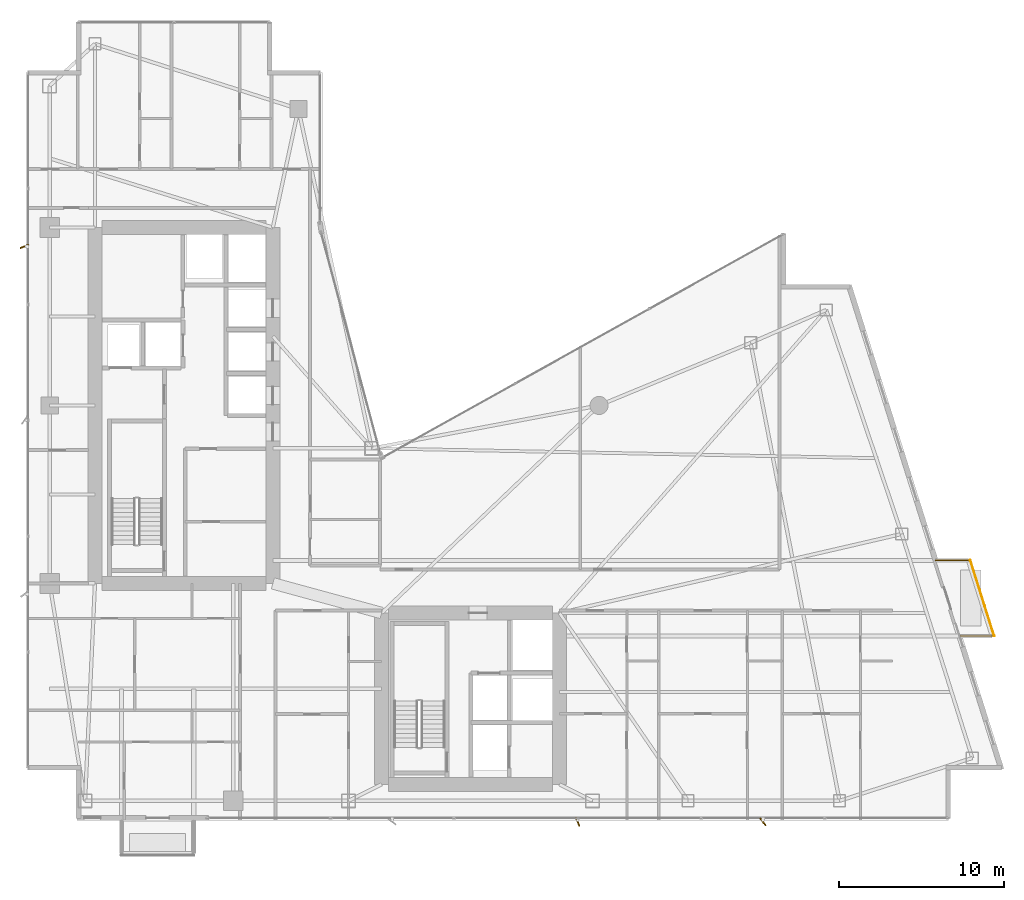
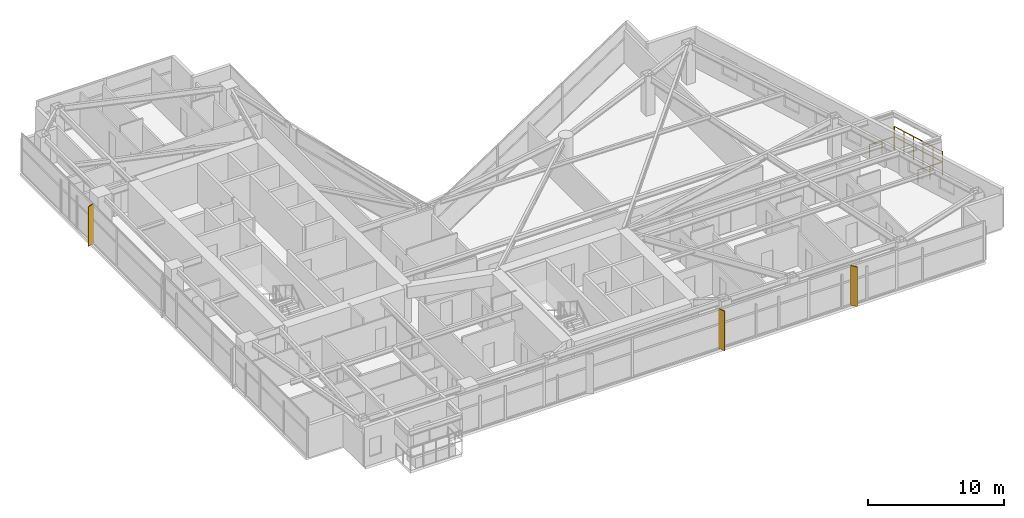
# One storey, part 28 of 28: 3 shading devices, 2 railings.
"""IFC4 building model written with IfcOpenShell, lengths in metres."""

from ifc_helpers import new_model, si_unit, direction, frame, origin, origin_2d, place, context, subcontext, project, spatial, rectangle, circle, extrude, material, type_object, element, save


model = new_model("IFC4")

# Units and contexts
model_context = context("Model", 3, precision=1e-05, world=origin(), true_north=direction((0.0, 1.0)))
body_context = subcontext(model_context, "Body", "Model", "MODEL_VIEW")
ifc_project = project(units=[si_unit("LENGTHUNIT", "METRE"), si_unit("AREAUNIT", "SQUARE_METRE"), si_unit("VOLUMEUNIT", "CUBIC_METRE"), si_unit("PLANEANGLEUNIT", "RADIAN"), si_unit("MASSUNIT", "GRAM", prefix="KILO")], contexts=[model_context])

# Site, building, storey
site_placement = place(None, origin())
site = spatial("IfcSite", under=ifc_project, at=site_placement, CompositionType="ELEMENT")
building_placement = place(site_placement, origin())
building = spatial("IfcBuilding", under=site, at=building_placement, Name="Calvorn Quay Hotel", CompositionType="ELEMENT")
storey_placement = place(building_placement, frame((0.0, 0.0, 152.300048828125)))
storey = spatial("IfcBuildingStorey", under=building, at=storey_placement, Name="L37", CompositionType="ELEMENT", Elevation=152.300048828125)

# Railings
ifc_material_1 = material(Name="Pale Anodised Aluminium and Laminated Glass", Category="aluminium")
railing_type = type_object("IfcRailingType", Name="RLG-BALUSTRADE-1200", PredefinedType="BALUSTRADE", material=ifc_material_1)
railing_1_placement = place(storey_placement, frame((56.68896484375, 13.60009765625, 0.0)))
element("IfcRailing", 1, at=railing_1_placement, inside=storey, type_object=railing_type, Name="Tree Balcony Perimeter Balustrade L37-BALC-E", PredefinedType="BALUSTRADE", context=body_context, shape_type="SweptSolid", body=[
    extrude(circle(Radius=0.02392578125, at=origin_2d()), frame((0.0, 0.0, 1.17578125), z_axis=(1.0, 0.0, 0.0), x_axis=(0.0, 1.0, 0.0)), (0.0, 0.0, 1.0), 2.10009765625),
    extrude(circle(Radius=0.02392578125, at=origin_2d()), frame((2.10009765625, 0.0, 1.17578125), z_axis=(-0.300450487966, 0.953797412599, 0.0), x_axis=(-0.953797412599, -0.300450487966, 0.0)), (0.0, 0.0, 1.0), 4.82275390625),
    extrude(circle(Radius=0.02392578125, at=origin_2d()), frame((0.651123046875, 4.599853515625, 1.17578125), z_axis=(-1.0, 0.0, 0.0), x_axis=(0.0, -1.0, 0.0)), (0.0, 0.0, 1.0), 2.10009765625),
    extrude(circle(Radius=0.02099609375, at=origin_2d()), origin(), (0.0, 0.0, 1.0), 1.15185546875),
    extrude(circle(Radius=0.02099609375, at=origin_2d()), frame((1.050048828125, 0.0, 0.0)), (0.0, 0.0, 1.0), 1.15185546875),
    extrude(circle(Radius=0.02099609375, at=origin_2d()), frame((2.10009765625, 0.0, 0.0)), (0.0, 0.0, 1.0), 1.15185546875),
    extrude(circle(Radius=0.02099609375, at=origin_2d()), frame((1.810302734375, 0.919921875, 0.0)), (0.0, 0.0, 1.0), 1.15185546875),
    extrude(circle(Radius=0.02099609375, at=origin_2d()), frame((1.5205078125, 1.83984375, 0.0)), (0.0, 0.0, 1.0), 1.15185546875),
    extrude(circle(Radius=0.02099609375, at=origin_2d()), frame((1.230712890625, 2.760009765625, 0.0)), (0.0, 0.0, 1.0), 1.15185546875),
    extrude(circle(Radius=0.02099609375, at=origin_2d()), frame((0.94091796875, 3.679931640625, 0.0)), (0.0, 0.0, 1.0), 1.15185546875),
    extrude(circle(Radius=0.02099609375, at=origin_2d()), frame((0.651123046875, 4.599853515625, 0.0)), (0.0, 0.0, 1.0), 1.15185546875),
    extrude(circle(Radius=0.02099609375, at=origin_2d()), frame((-0.39892578125, 4.599853515625, 0.0)), (0.0, 0.0, 1.0), 1.15185546875),
    extrude(circle(Radius=0.02099609375, at=origin_2d()), frame((-1.448974609375, 4.599853515625, 0.0)), (0.0, 0.0, 1.0), 1.15185546875),
])
railing_2_placement = place(storey_placement, frame((58.7890625, 13.60009765625, 0.89990234375)))
element("IfcRailing", 2, at=railing_2_placement, inside=storey, type_object=railing_type, Name="Planter Kerb High Safety Screen L37-BALC-E", PredefinedType="BALUSTRADE", context=body_context, shape_type="SweptSolid", body=[
    extrude(circle(Radius=0.02392578125, at=origin_2d()), frame((0.0, 0.0, 1.19580078125), z_axis=(-0.300450487966, 0.953797412599, 0.0), x_axis=(-0.953797412599, -0.300450487966, 0.0)), (0.0, 0.0, 1.0), 4.82275390625),
    extrude(circle(Radius=0.02099609375, at=origin_2d()), origin(), (0.0, 0.0, 1.0), 1.171875),
    extrude(circle(Radius=0.02099609375, at=origin_2d()), frame((-0.289794921875, 0.919921875, 0.0)), (0.0, 0.0, 1.0), 1.171875),
    extrude(circle(Radius=0.02099609375, at=origin_2d()), frame((-0.57958984375, 1.83984375, 0.0)), (0.0, 0.0, 1.0), 1.171875),
    extrude(circle(Radius=0.02099609375, at=origin_2d()), frame((-0.869384765625, 2.760009765625, 0.0)), (0.0, 0.0, 1.0), 1.171875),
    extrude(circle(Radius=0.02099609375, at=origin_2d()), frame((-1.1591796875, 3.679931640625, 0.0)), (0.0, 0.0, 1.0), 1.171875),
    extrude(circle(Radius=0.02099609375, at=origin_2d()), frame((-1.448974609375, 4.599853515625, 0.0)), (0.0, 0.0, 1.0), 1.171875),
])

# Shading devices
ifc_material_2 = material(Name="Champagne Bronze Anodised Aluminium 6063-T6", Category="aluminium")
shading_device_type_1 = type_object("IfcShadingDeviceType", Name="SHD-FIN-A1", PredefinedType="USERDEFINED", material=ifc_material_2)
for number, where, z_axis, x_axis, name in (
    (3, (-0.080078125, 37.25, 0.0), (0.0, 0.0, 1.0), (0.927183854567, 0.374606593416, 0.0), "Diagonal Sun-Shading Fin L37-W03"),
    (4, (33.5, 2.320068359375, 0.0), (0.0, 0.0, 1.0), (-0.374606593416, 0.927183854567, 0.0), "Diagonal Sun-Shading Fin L37-S02"),
):
    element("IfcShadingDevice", number, at=place(storey_placement, frame(where, z_axis=z_axis, x_axis=x_axis)), inside=storey, type_object=shading_device_type_1, Name=name, ObjectType="FIN", PredefinedType="USERDEFINED", context=body_context, shape_type="SweptSolid", body=[
        extrude(rectangle(XDim=0.550048828125, YDim=0.080078125, at=origin_2d()), origin(), (0.0, 0.0, 1.0), 3.56005859375),
    ])
ifc_material_3 = material(Name="Champagne Bronze Anodised Aluminium 6063-T6", Category="aluminium")
shading_device_type_2 = type_object("IfcShadingDeviceType", Name="SHD-FIN-A2", PredefinedType="USERDEFINED", material=ifc_material_3)
shading_device_placement = place(storey_placement, frame((44.75, 2.320068359375, 0.0), z_axis=(0.0, 0.0, 1.0), x_axis=(-0.615661475326, 0.788010753607, 0.0)))
element("IfcShadingDevice", 5, at=shading_device_placement, inside=storey, type_object=shading_device_type_2, Name="Diagonal Sun-Shading Fin L37-S03", ObjectType="FIN", PredefinedType="USERDEFINED", context=body_context, shape_type="SweptSolid", body=[
    extrude(rectangle(XDim=0.550048828125, YDim=0.080078125, at=origin_2d()), origin(), (0.0, 0.0, 1.0), 3.56005859375),
])

save(model, "model.ifc")
